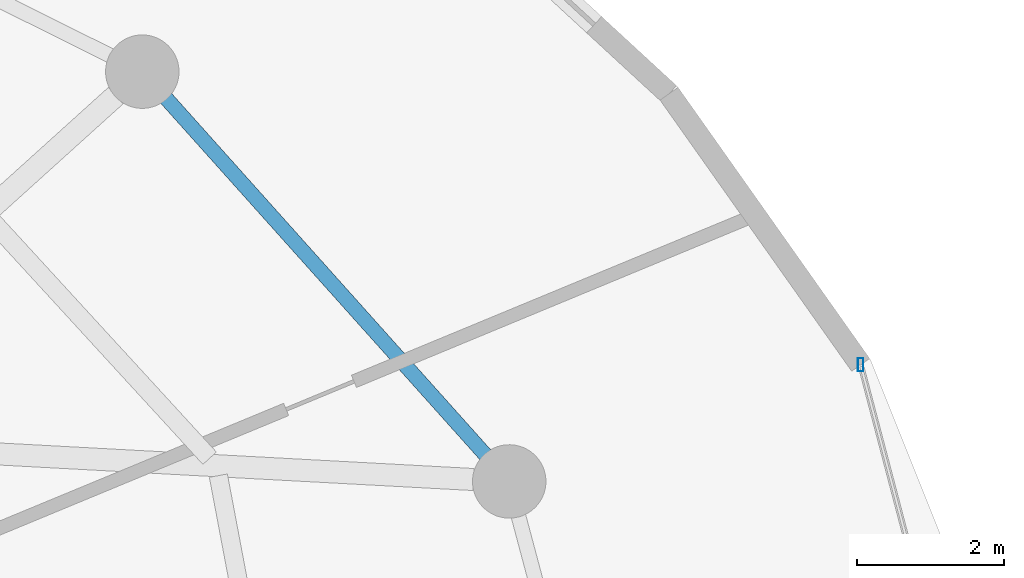
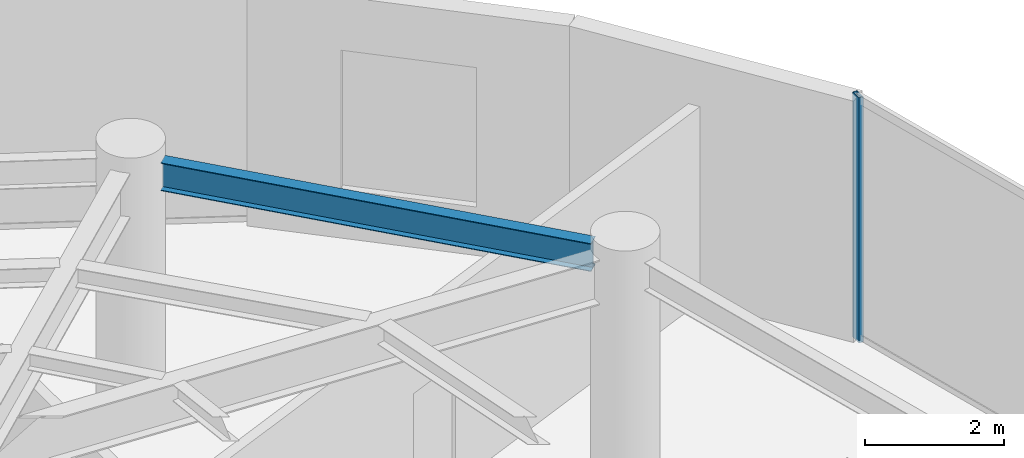
# One storey, part 16 of 31: 1 beam, 1 member, 1 element without a shape of its own.
"""IFC4 building model written with IfcOpenShell, lengths in metres."""

from ifc_helpers import new_model, si_unit, direction, frame, origin, origin_2d, place, context, subcontext, project, spatial, hollow_rectangle, i_section, extrude, material, material_profile, profile_set, type_object, element, aggregate, save


model = new_model("IFC4")

# Units and contexts
model_context = context("Model", 3, precision=1e-05, world=origin(), true_north=direction((0.0, 1.0)))
body_context = subcontext(model_context, "Body", "Model", "MODEL_VIEW")
ifc_project = project(units=[si_unit("LENGTHUNIT", "METRE"), si_unit("AREAUNIT", "SQUARE_METRE"), si_unit("VOLUMEUNIT", "CUBIC_METRE"), si_unit("PLANEANGLEUNIT", "RADIAN"), si_unit("MASSUNIT", "GRAM", prefix="KILO")], contexts=[model_context])

# Site, building, storey
site_placement = place(None, origin())
site = spatial("IfcSite", under=ifc_project, at=site_placement, CompositionType="ELEMENT")
building_placement = place(site_placement, origin())
building = spatial("IfcBuilding", under=site, at=building_placement, Name="Vorneva Point Tower", CompositionType="ELEMENT")
storey_placement = place(building_placement, frame((0.0, 0.0, 174.60009765625)))
storey = spatial("IfcBuildingStorey", under=building, at=storey_placement, Name="L47", CompositionType="ELEMENT", Elevation=174.60009765625)

# Beam
ifc_material_1 = material(Name="Steel S355", Category="steel")
ifc_material_profile_1 = material_profile(ifc_material_1, i_section(OverallWidth=0.199951171875, OverallDepth=0.491943359375, WebThickness=0.0087890625, FlangeThickness=0.011962890625, at=origin_2d()), Name="50B1")
ifc_profile_set_1 = profile_set([ifc_material_profile_1], Name="Steel S355")
beam_type = type_object("IfcBeamType", Name="BM-SPN-50B1", PredefinedType="SPANDREL", material=ifc_profile_set_1)
beam_placement = place(storey_placement, frame((58.971923828125, 32.943603515625, 3.993896484375), z_axis=(-0.667111118975, 0.74495822362, 0.0), x_axis=(-0.74495822362, -0.667111118975, 0.0)))
element("IfcBeam", 1, at=beam_placement, inside=storey, type_object=beam_type, Name="L47 Perimeter Spandrel Ring Beam 02", PredefinedType="SPANDREL", context=body_context, shape_type="SweptSolid", body=[
    extrude(i_section(OverallWidth=0.199951171875, OverallDepth=0.491943359375, WebThickness=0.0087890625, FlangeThickness=0.011962890625, at=origin_2d()), origin(), (0.0, 0.0, 1.0), 6.52001953125),
])

# Curtain wall, member
ifc_material_2 = material(Name="Pale anodised aluminium", Category="aluminium")
curtain_wall_type = type_object("IfcCurtainWallType", Name="CW-SKY-SYS", PredefinedType="NOTDEFINED", material=ifc_material_2)
curtain_wall_placement = place(storey_placement, origin())
curtain_wall = element("IfcCurtainWall", 2, at=curtain_wall_placement, inside=storey, type_object=curtain_wall_type, Name="L47 Unitised Curtain Wall CW-L47-R01", PredefinedType="NOTDEFINED")
ifc_material_profile_2 = material_profile(ifc_material_2, hollow_rectangle(XDim=0.074951171875, YDim=0.179931640625, WallThickness=0.00390625, at=origin_2d()), Name="AL-MUL 180x75x4")
ifc_profile_set_2 = profile_set([ifc_material_profile_2], Name="Pale anodised aluminium")
member_type = type_object("IfcMemberType", Name="CW-MUL-180", PredefinedType="MULLION", material=ifc_profile_set_2)
member_placement = place(storey_placement, frame((64.0810546875, 34.17041015625, -0.0400390625), z_axis=(0.0, 0.0, 1.0), x_axis=(1.0, 0.0, 0.0)))
member = element("IfcMember", 3, at=member_placement, type_object=member_type, Name="CW-L47-R01 Mullion 05", PredefinedType="MULLION", context=body_context, shape_type="SweptSolid", body=[
    extrude(hollow_rectangle(XDim=0.074951171875, YDim=0.179931640625, WallThickness=0.00390625, at=origin_2d()), origin(), (0.0, 0.0, 1.0), 4.31005859375),
])
aggregate(curtain_wall, [member])

save(model, "model.ifc")
